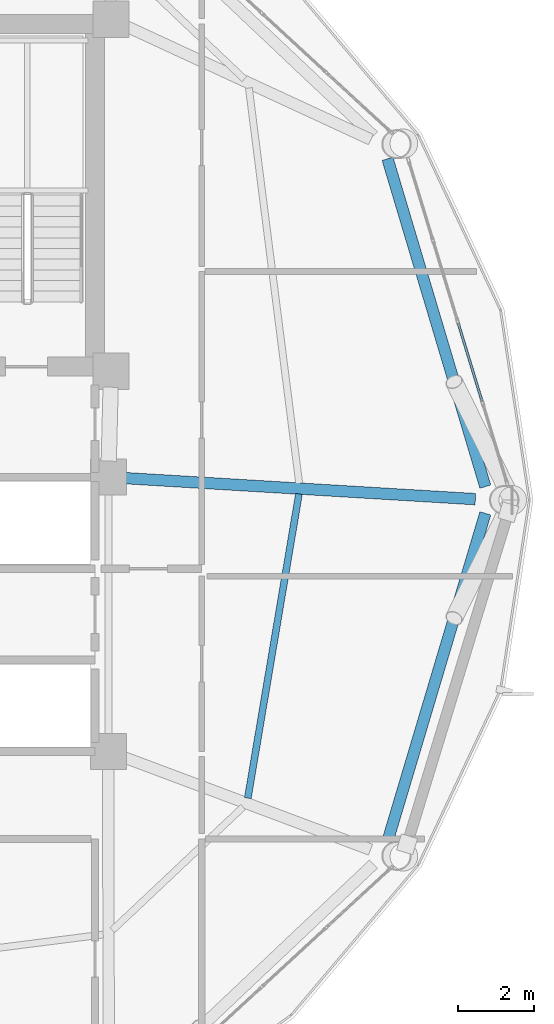
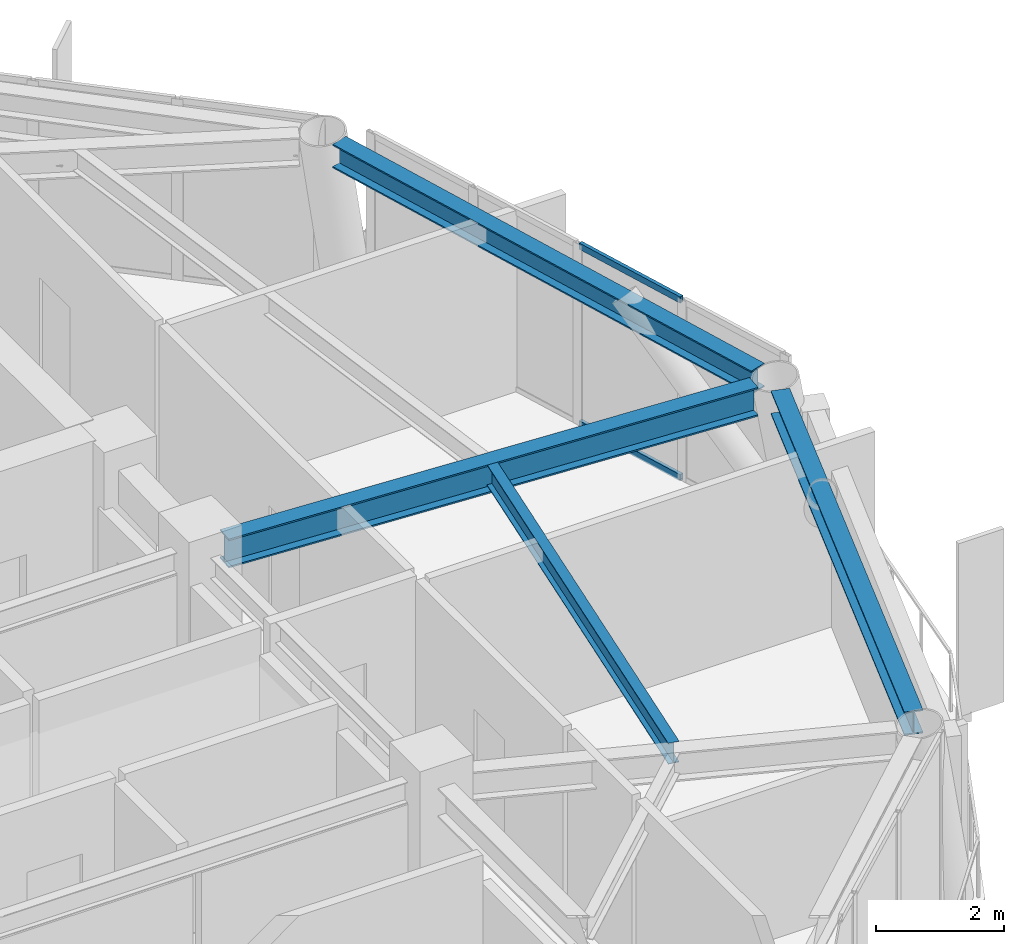
# One storey, part 15 of 26: 4 beams, 2 members, 1 element without a shape of its own.
"""IFC4 building model written with IfcOpenShell, lengths in metres."""

from ifc_helpers import new_model, si_unit, direction, frame, origin, origin_2d, place, context, subcontext, project, spatial, hollow_rectangle, i_section, extrude, material, layer, layer_set, material_profile, profile_set, type_object, element, aggregate, save


model = new_model("IFC4")

# Units and contexts
model_context = context("Model", 3, precision=1e-05, world=origin(), true_north=direction((0.0, 1.0)))
body_context = subcontext(model_context, "Body", "Model", "MODEL_VIEW")
ifc_project = project(units=[si_unit("LENGTHUNIT", "METRE"), si_unit("AREAUNIT", "SQUARE_METRE"), si_unit("VOLUMEUNIT", "CUBIC_METRE"), si_unit("PLANEANGLEUNIT", "RADIAN"), si_unit("MASSUNIT", "GRAM", prefix="KILO")], contexts=[model_context])

# Site, building, storey
site_placement = place(None, origin())
site = spatial("IfcSite", under=ifc_project, at=site_placement, CompositionType="ELEMENT")
building_placement = place(site_placement, origin())
building = spatial("IfcBuilding", under=site, at=building_placement, Name="Varnakorn Sky Granary", CompositionType="ELEMENT")
storey_placement = place(building_placement, frame((0.0, 0.0, 169.5)))
storey = spatial("IfcBuildingStorey", under=building, at=storey_placement, Name="L42", CompositionType="ELEMENT", Elevation=169.5)

# Beams
ifc_material_1 = material(Name="Steel S355JR", Category="steel")
ifc_material_profile_1 = material_profile(ifc_material_1, i_section(OverallWidth=0.300048828125, OverallDepth=0.550048828125, WebThickness=0.014892578125, FlangeThickness=0.029052734375, at=origin_2d()), Name="HE 550 B")
ifc_profile_set_1 = profile_set([ifc_material_profile_1], Name="Steel S355JR")
beam_type_1 = type_object("IfcBeamType", Name="BM-RAD-Z3", PredefinedType="BEAM", material=ifc_profile_set_1)
beam_1_placement = place(storey_placement, frame((8.769287109375, 0.57470703125, 3.175048828125), z_axis=(0.998206046847, -0.059872264348, 0.0), x_axis=(0.059872264348, 0.998206046847, 0.0)))
element("IfcBeam", 1, at=beam_1_placement, inside=storey, type_object=beam_type_1, Name="Radial Floor Girder RG01 L42", PredefinedType="BEAM", context=body_context, shape_type="SweptSolid", body=[
    extrude(i_section(OverallWidth=0.300048828125, OverallDepth=0.550048828125, WebThickness=0.014892578125, FlangeThickness=0.029052734375, at=origin_2d()), origin(), (0.0, 0.0, 1.0), 9.23193359375),
])
ifc_material_profile_2 = material_profile(ifc_material_1, i_section(OverallWidth=0.179931640625, OverallDepth=0.39990234375, WebThickness=0.008544921875, FlangeThickness=0.013427734375, at=origin_2d()), Name="IPE 400")
ifc_profile_set_2 = profile_set([ifc_material_profile_2], Name="Steel S355JR")
beam_type_2 = type_object("IfcBeamType", Name="BM-SEC-Z3", PredefinedType="BEAM", material=ifc_profile_set_2)
beam_2_placement = place(storey_placement, frame((12.010498046875, -7.8251953125, 3.25), z_axis=(0.165880180514, 0.986145915021, 0.0), x_axis=(-0.986145915021, 0.165880180514, 0.0)))
element("IfcBeam", 2, at=beam_2_placement, inside=storey, type_object=beam_type_2, Name="Secondary Floor Chord Beam MSB12 L42", PredefinedType="BEAM", context=body_context, shape_type="SweptSolid", body=[
    extrude(i_section(OverallWidth=0.179931640625, OverallDepth=0.39990234375, WebThickness=0.008544921875, FlangeThickness=0.013427734375, at=origin_2d()), origin(), (0.0, 0.0, 1.0), 8.097900390625),
])
ifc_material_profile_3 = material_profile(ifc_material_1, i_section(OverallWidth=0.300048828125, OverallDepth=0.449951171875, WebThickness=0.013916015625, FlangeThickness=0.02587890625, at=origin_2d()), Name="HE 450 B")
ifc_profile_set_3 = profile_set([ifc_material_profile_3], Name="Steel S355JR")
beam_type_3 = type_object("IfcBeamType", Name="BM-SPD-Z3", PredefinedType="SPANDREL", material=ifc_profile_set_3)
for number, where, z_axis, x_axis, name in (
    (3, (18.245361328125, 0.3505859375, 3.22509765625), (-0.285843662049, 0.95827626542, 0.0), (-0.95827626542, -0.285843662049, 0.0), "Perimeter Spandrel Ring Beam RB01 L42"),
    (4, (15.67822265625, -8.956787109375, 3.22509765625), (0.285843662049, 0.95827626542, 0.0), (-0.95827626542, 0.285843662049, 0.0), "Perimeter Spandrel Ring Beam RB12 L42"),
):
    element("IfcBeam", number, at=place(storey_placement, frame(where, z_axis=z_axis, x_axis=x_axis)), inside=storey, type_object=beam_type_3, Name=name, PredefinedType="SPANDREL", context=body_context, shape_type="SweptSolid", body=[
        extrude(i_section(OverallWidth=0.300048828125, OverallDepth=0.449951171875, WebThickness=0.013916015625, FlangeThickness=0.02587890625, at=origin_2d()), origin(), (0.0, 0.0, 1.0), 8.98095703125),
    ])

# Curtain wall, members
ifc_material_2 = material(Name="Anodised Bronze Aluminium Alloy 6063-T6", Category="aluminium")
ifc_layer = layer(ifc_material_2, 0.179931640625, Name="Anodised Bronze Aluminium Alloy 6063-T6")
ifc_layer_set = layer_set([ifc_layer], Name="Anodised Bronze Aluminium Alloy 6063-T6")
curtain_wall_type = type_object("IfcCurtainWallType", Name="CW-FRM-2", PredefinedType="USERDEFINED", material=ifc_layer_set)
curtain_wall_placement = place(storey_placement, origin())
curtain_wall = element("IfcCurtainWall", 5, at=curtain_wall_placement, inside=storey, type_object=curtain_wall_type, Name="Unitised Curtain Wall CW4 CW-L42-B01", ObjectType="CURTAIN WALL", PredefinedType="USERDEFINED")
ifc_material_profile_4 = material_profile(ifc_material_2, hollow_rectangle(XDim=0.06494140625, YDim=0.1201171875, WallThickness=0.00341796875, at=origin_2d()), Name="ALU TRAN 65x120")
ifc_profile_set_4 = profile_set([ifc_material_profile_4], Name="Anodised Bronze Aluminium Alloy 6063-T6")
member_type = type_object("IfcMemberType", Name="CW-FRM-2-TRAN", PredefinedType="USERDEFINED", material=ifc_profile_set_4)
member_1_placement = place(storey_placement, frame((17.531982421875, 4.645263671875, 0.032470703125), z_axis=(0.291896215729, -0.956449998298, 0.0), x_axis=(0.956449998298, 0.291896215729, 0.0)))
member_1 = element("IfcMember", 6, at=member_1_placement, type_object=member_type, Name="CW4 transom 3.1", ObjectType="TRANSOM", PredefinedType="USERDEFINED", context=body_context, shape_type="SweptSolid", body=[
    extrude(hollow_rectangle(XDim=0.06494140625, YDim=0.1201171875, WallThickness=0.00341796875, at=origin_2d()), origin(), (0.0, 0.0, 1.0), 2.1552734375),
])
member_2_placement = place(storey_placement, frame((17.531982421875, 4.645263671875, 3.41748046875), z_axis=(0.291896215729, -0.956449998298, 0.0), x_axis=(0.956449998298, 0.291896215729, 0.0)))
member_2 = element("IfcMember", 7, at=member_2_placement, type_object=member_type, Name="CW4 transom 3.2", ObjectType="TRANSOM", PredefinedType="USERDEFINED", context=body_context, shape_type="SweptSolid", body=[
    extrude(hollow_rectangle(XDim=0.06494140625, YDim=0.1201171875, WallThickness=0.00341796875, at=origin_2d()), origin(), (0.0, 0.0, 1.0), 2.1552734375),
])
aggregate(curtain_wall, [member_1, member_2])

save(model, "model.ifc")
